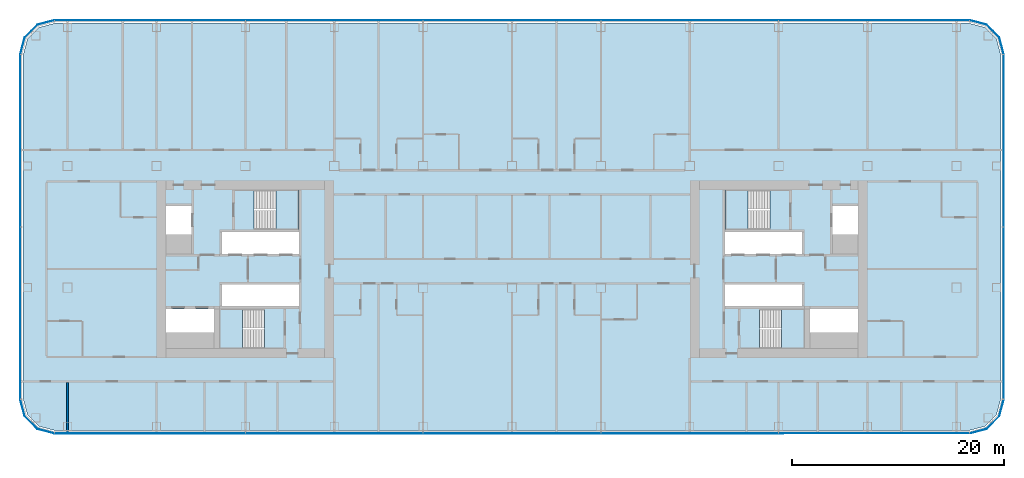
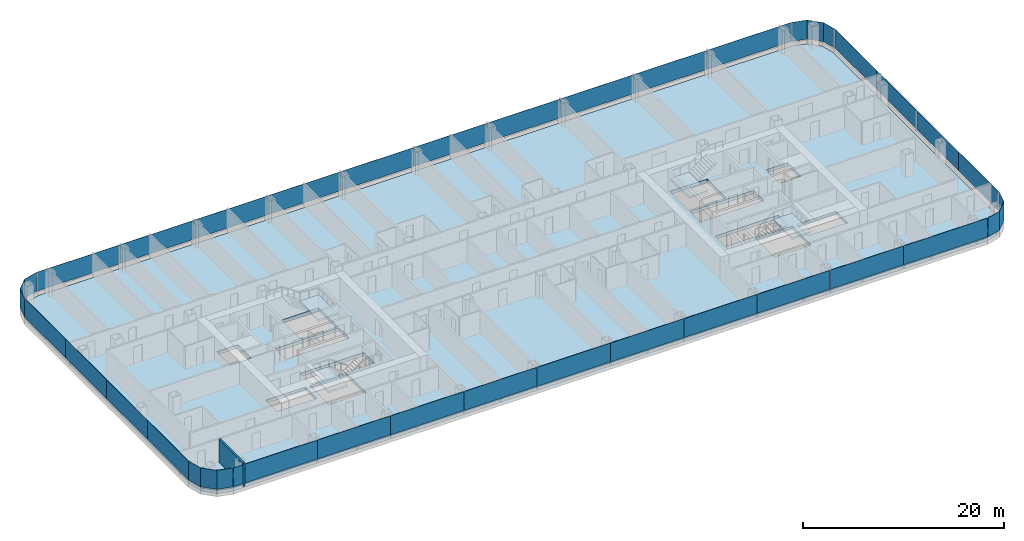
# One storey, part 14 of 29: 32 plates, 5 slabs, 1 wall, 12 elements without a shape of their own.
"""IFC4 building model written with IfcOpenShell, lengths in metres."""

from ifc_helpers import new_model, si_unit, direction, frame, frame_2d, origin, origin_2d, place, context, subcontext, project, spatial, polyline, rectangle, outline, extrude, material, layer, layer_set, type_object, element, aggregate, save


model = new_model("IFC4")

# Units and contexts
model_context = context("Model", 3, precision=1e-05, world=origin(), true_north=direction((0.0, 1.0)))
body_context = subcontext(model_context, "Body", "Model", "MODEL_VIEW")
ifc_project = project(units=[si_unit("LENGTHUNIT", "METRE"), si_unit("AREAUNIT", "SQUARE_METRE"), si_unit("VOLUMEUNIT", "CUBIC_METRE"), si_unit("PLANEANGLEUNIT", "RADIAN"), si_unit("MASSUNIT", "GRAM", prefix="KILO")], contexts=[model_context])

# Site, building, storey
site_placement = place(None, origin())
site = spatial("IfcSite", under=ifc_project, at=site_placement, CompositionType="ELEMENT")
building_placement = place(site_placement, origin())
building = spatial("IfcBuilding", under=site, at=building_placement, Name="Hakoniwa Tower and Hamabe Station Hall", CompositionType="ELEMENT")
storey_placement = place(building_placement, frame((0.0, 0.0, 101.0)))
storey = spatial("IfcBuildingStorey", under=building, at=storey_placement, Name="L28", CompositionType="ELEMENT", Elevation=101.0)

# Stair, slab
ifc_material_1 = material(Name="Concrete C40", Category="concrete")
stair_type = type_object("IfcStairType", Name="ESCAPE STAIR 1800", PredefinedType="HALF_TURN_STAIR", material=ifc_material_1)
stair_1_placement = place(storey_placement, origin())
stair_1 = element("IfcStair", 1, at=stair_1_placement, inside=storey, type_object=stair_type, Name="Escape stair ST-1 L28", PredefinedType="HALF_TURN_STAIR")
ifc_material_2 = material(Name="Concrete C40", Category="concrete")
ifc_layer_1 = layer(ifc_material_2, 0.25)
ifc_layer_set_1 = layer_set([ifc_layer_1], Name="CORE STAIR LANDING 250")
slab_type_1 = type_object("IfcSlabType", Name="CORE STAIR LANDING 250", PredefinedType="LANDING", material=ifc_layer_set_1)
slab_1_placement = place(storey_placement, frame((0.0, 0.0, 1.35009765625)))
slab_1 = element("IfcSlab", 2, at=slab_1_placement, type_object=slab_type_1, Name="ST-1 landing 1", PredefinedType="LANDING", context=body_context, shape_type="SweptSolid", body=[
    extrude(outline(polyline([(-22.320068359375, 3.75), (-20.14990234375, 3.75), (-20.14990234375, 7.5), (-22.320068359375, 7.5), (-22.320068359375, 3.75)])), origin(), (0.0, 0.0, 1.0), 0.25),
])
aggregate(stair_1, [slab_1])

stair_2_placement = place(storey_placement, origin())
stair_2 = element("IfcStair", 3, at=stair_2_placement, inside=storey, type_object=stair_type, Name="Escape stair ST-2 L28", PredefinedType="HALF_TURN_STAIR")
slab_2_placement = place(storey_placement, frame((0.0, 0.0, 1.35009765625)))
slab_2 = element("IfcSlab", 4, at=slab_2_placement, type_object=slab_type_1, Name="ST-2 landing 1", PredefinedType="LANDING", context=body_context, shape_type="SweptSolid", body=[
    extrude(outline(polyline([(-25.47998046875, -7.5), (-27.64990234375, -7.5), (-27.64990234375, -3.75), (-25.47998046875, -3.75), (-25.47998046875, -7.5)])), origin(), (0.0, 0.0, 1.0), 0.25),
])
aggregate(stair_2, [slab_2])

stair_3_placement = place(storey_placement, origin())
stair_3 = element("IfcStair", 5, at=stair_3_placement, inside=storey, type_object=stair_type, Name="Escape stair ST-3 L28", PredefinedType="HALF_TURN_STAIR")
slab_3_placement = place(storey_placement, frame((0.0, 0.0, 1.35009765625)))
slab_3 = element("IfcSlab", 6, at=slab_3_placement, type_object=slab_type_1, Name="ST-3 landing 1", PredefinedType="LANDING", context=body_context, shape_type="SweptSolid", body=[
    extrude(outline(polyline([(22.320068359375, 3.75), (20.14990234375, 3.75), (20.14990234375, 7.5), (22.320068359375, 7.5), (22.320068359375, 3.75)])), origin(), (0.0, 0.0, 1.0), 0.25),
])
aggregate(stair_3, [slab_3])

stair_4_placement = place(storey_placement, origin())
stair_4 = element("IfcStair", 7, at=stair_4_placement, inside=storey, type_object=stair_type, Name="Escape stair ST-4 L28", PredefinedType="HALF_TURN_STAIR")
slab_4_placement = place(storey_placement, frame((0.0, 0.0, 1.35009765625)))
slab_4 = element("IfcSlab", 8, at=slab_4_placement, type_object=slab_type_1, Name="ST-4 landing 1", PredefinedType="LANDING", context=body_context, shape_type="SweptSolid", body=[
    extrude(outline(polyline([(25.47998046875, -7.5), (27.64990234375, -7.5), (27.64990234375, -3.75), (25.47998046875, -3.75), (25.47998046875, -7.5)])), origin(), (0.0, 0.0, 1.0), 0.25),
])
aggregate(stair_4, [slab_4])

# Curtain wall, plates
ifc_material_3 = material(Name="Dark low-e laminated glass", Category="glass")
ifc_layer_2 = layer(ifc_material_3, 0.199951171875)
ifc_layer_set_2 = layer_set([ifc_layer_2], Name="CW-1 UNITISED GUEST")
curtain_wall_type = type_object("IfcCurtainWallType", Name="CW-1 UNITISED GUEST", PredefinedType="NOTDEFINED", material=ifc_layer_set_2)
curtain_wall_1_placement = place(storey_placement, origin())
curtain_wall_1 = element("IfcCurtainWall", 9, at=curtain_wall_1_placement, inside=storey, type_object=curtain_wall_type, Name="CW-1 curtain wall", PredefinedType="NOTDEFINED")
ifc_material_4 = material(Name="Dark low-e laminated glass", Category="glass")
ifc_layer_3 = layer(ifc_material_4, 0.028076171875)
ifc_layer_set_3 = layer_set([ifc_layer_3], Name="CW-1 GLASS UNIT")
plate_type = type_object("IfcPlateType", Name="CW-1 GLASS UNIT", PredefinedType="CURTAIN_PANEL", material=ifc_layer_set_3)
plate_1_placement = place(storey_placement, frame((46.486083984375, -8.217041015625, 0.35009765625), z_axis=(0.0, 0.0, 1.0), x_axis=(0.0, 1.0, 0.0)))
plate_1 = element("IfcPlate", 10, at=plate_1_placement, type_object=plate_type, Name="CW-1 glass unit", PredefinedType="CURTAIN_PANEL", context=body_context, shape_type="SweptSolid", body=[
    extrude(rectangle(XDim=8.124755859375, YDim=0.028076171875, at=origin_2d()), origin(), (0.0, 0.0, 1.0), 2.300048828125),
])
plate_2_placement = place(storey_placement, frame((46.486083984375, -0.072265625, 0.35009765625), z_axis=(0.0, 0.0, 1.0), x_axis=(0.0, 1.0, 0.0)))
plate_2 = element("IfcPlate", 11, at=plate_2_placement, type_object=plate_type, Name="CW-1 glass unit", PredefinedType="CURTAIN_PANEL", context=body_context, shape_type="SweptSolid", body=[
    extrude(rectangle(XDim=8.124755859375, YDim=0.028076171875, at=origin_2d()), origin(), (0.0, 0.0, 1.0), 2.300048828125),
])
plate_3_placement = place(storey_placement, frame((46.486083984375, 8.072265625, 0.35009765625), z_axis=(0.0, 0.0, 1.0), x_axis=(0.0, 1.0, 0.0)))
plate_3 = element("IfcPlate", 12, at=plate_3_placement, type_object=plate_type, Name="CW-1 glass unit", PredefinedType="CURTAIN_PANEL", context=body_context, shape_type="SweptSolid", body=[
    extrude(rectangle(XDim=8.124755859375, YDim=0.028076171875, at=origin_2d()), origin(), (0.0, 0.0, 1.0), 2.300048828125),
])
plate_4_placement = place(storey_placement, frame((46.486083984375, 16.217041015625, 0.35009765625), z_axis=(0.0, 0.0, 1.0), x_axis=(0.0, 1.0, 0.0)))
plate_4 = element("IfcPlate", 13, at=plate_4_placement, type_object=plate_type, Name="CW-1 glass unit", PredefinedType="CURTAIN_PANEL", context=body_context, shape_type="SweptSolid", body=[
    extrude(rectangle(XDim=8.124755859375, YDim=0.028076171875, at=origin_2d()), origin(), (0.0, 0.0, 1.0), 2.300048828125),
])
aggregate(curtain_wall_1, [plate_1, plate_2, plate_3, plate_4])

# Curtain wall, plate
curtain_wall_2_placement = place(storey_placement, origin())
curtain_wall_2 = element("IfcCurtainWall", 14, at=curtain_wall_2_placement, inside=storey, type_object=curtain_wall_type, Name="CW-1 curtain wall", PredefinedType="NOTDEFINED")
plate_5_placement = place(storey_placement, frame((0.0, 0.0, 0.35009765625)))
plate_5 = element("IfcPlate", 15, at=plate_5_placement, type_object=plate_type, Name="CW-1 curved corner unit", PredefinedType="CURTAIN_PANEL", context=body_context, shape_type="SweptSolid", body=[
    extrude(outline(polyline([(46.48974609375, 20.328125), (46.067138671875, 21.9052734375), (44.855224609375, 23.116943359375), (43.278076171875, 23.53955078125), (43.27099609375, 23.5126953125), (44.8408203125, 23.092041015625), (46.0419921875, 21.890869140625), (46.462646484375, 20.32080078125), (46.48974609375, 20.328125)])), origin(), (0.0, 0.0, 1.0), 2.2998046875),
])
aggregate(curtain_wall_2, [plate_5])

# Curtain wall, plates
curtain_wall_3_placement = place(storey_placement, origin())
curtain_wall_3 = element("IfcCurtainWall", 16, at=curtain_wall_3_placement, inside=storey, type_object=curtain_wall_type, Name="CW-1 curtain wall", PredefinedType="NOTDEFINED")
plate_6_placement = place(storey_placement, frame((38.419677734375, 23.535888671875, 0.35009765625), z_axis=(0.0, 0.0, 1.0), x_axis=(-1.0, 0.0, 0.0)))
plate_6 = element("IfcPlate", 17, at=plate_6_placement, type_object=plate_type, Name="CW-1 glass unit", PredefinedType="CURTAIN_PANEL", context=body_context, shape_type="SweptSolid", body=[
    extrude(rectangle(XDim=9.619384765625, YDim=0.028076171875, at=origin_2d()), origin(), (0.0, 0.0, 1.0), 2.300048828125),
])
plate_7_placement = place(storey_placement, frame((29.39990234375, 23.535888671875, 0.35009765625), z_axis=(0.0, 0.0, 1.0), x_axis=(-1.0, 0.0, 0.0)))
plate_7 = element("IfcPlate", 18, at=plate_7_placement, type_object=plate_type, Name="CW-1 glass unit", PredefinedType="CURTAIN_PANEL", context=body_context, shape_type="SweptSolid", body=[
    extrude(rectangle(XDim=8.3798828125, YDim=0.028076171875, at=origin_2d()), origin(), (0.0, 0.0, 1.0), 2.300048828125),
])
plate_8_placement = place(storey_placement, frame((21.0, 23.535888671875, 0.35009765625), z_axis=(0.0, 0.0, 1.0), x_axis=(-1.0, 0.0, 0.0)))
plate_8 = element("IfcPlate", 19, at=plate_8_placement, type_object=plate_type, Name="CW-1 glass unit", PredefinedType="CURTAIN_PANEL", context=body_context, shape_type="SweptSolid", body=[
    extrude(rectangle(XDim=8.3798828125, YDim=0.028076171875, at=origin_2d()), origin(), (0.0, 0.0, 1.0), 2.300048828125),
])
plate_9_placement = place(storey_placement, frame((12.60009765625, 23.535888671875, 0.35009765625), z_axis=(0.0, 0.0, 1.0), x_axis=(-1.0, 0.0, 0.0)))
plate_9 = element("IfcPlate", 20, at=plate_9_placement, type_object=plate_type, Name="CW-1 glass unit", PredefinedType="CURTAIN_PANEL", context=body_context, shape_type="SweptSolid", body=[
    extrude(rectangle(XDim=8.3798828125, YDim=0.028076171875, at=origin_2d()), origin(), (0.0, 0.0, 1.0), 2.300048828125),
])
plate_10_placement = place(storey_placement, frame((4.199951171875, 23.535888671875, 0.35009765625), z_axis=(0.0, 0.0, 1.0), x_axis=(-1.0, 0.0, 0.0)))
plate_10 = element("IfcPlate", 21, at=plate_10_placement, type_object=plate_type, Name="CW-1 glass unit", PredefinedType="CURTAIN_PANEL", context=body_context, shape_type="SweptSolid", body=[
    extrude(rectangle(XDim=8.3798828125, YDim=0.028076171875, at=origin_2d()), origin(), (0.0, 0.0, 1.0), 2.300048828125),
])
plate_11_placement = place(storey_placement, frame((-4.199951171875, 23.535888671875, 0.35009765625), z_axis=(0.0, 0.0, 1.0), x_axis=(-1.0, 0.0, 0.0)))
plate_11 = element("IfcPlate", 22, at=plate_11_placement, type_object=plate_type, Name="CW-1 glass unit", PredefinedType="CURTAIN_PANEL", context=body_context, shape_type="SweptSolid", body=[
    extrude(rectangle(XDim=8.3798828125, YDim=0.028076171875, at=origin_2d()), origin(), (0.0, 0.0, 1.0), 2.300048828125),
])
plate_12_placement = place(storey_placement, frame((-12.60009765625, 23.535888671875, 0.35009765625), z_axis=(0.0, 0.0, 1.0), x_axis=(-1.0, 0.0, 0.0)))
plate_12 = element("IfcPlate", 23, at=plate_12_placement, type_object=plate_type, Name="CW-1 glass unit", PredefinedType="CURTAIN_PANEL", context=body_context, shape_type="SweptSolid", body=[
    extrude(rectangle(XDim=8.3798828125, YDim=0.028076171875, at=origin_2d()), origin(), (0.0, 0.0, 1.0), 2.300048828125),
])
plate_13_placement = place(storey_placement, frame((-21.0, 23.535888671875, 0.35009765625), z_axis=(0.0, 0.0, 1.0), x_axis=(-1.0, 0.0, 0.0)))
plate_13 = element("IfcPlate", 24, at=plate_13_placement, type_object=plate_type, Name="CW-1 glass unit", PredefinedType="CURTAIN_PANEL", context=body_context, shape_type="SweptSolid", body=[
    extrude(rectangle(XDim=8.3798828125, YDim=0.028076171875, at=origin_2d()), origin(), (0.0, 0.0, 1.0), 2.300048828125),
])
plate_14_placement = place(storey_placement, frame((-29.39990234375, 23.535888671875, 0.35009765625), z_axis=(0.0, 0.0, 1.0), x_axis=(-1.0, 0.0, 0.0)))
plate_14 = element("IfcPlate", 25, at=plate_14_placement, type_object=plate_type, Name="CW-1 glass unit", PredefinedType="CURTAIN_PANEL", context=body_context, shape_type="SweptSolid", body=[
    extrude(rectangle(XDim=8.3798828125, YDim=0.028076171875, at=origin_2d()), origin(), (0.0, 0.0, 1.0), 2.300048828125),
])
plate_15_placement = place(storey_placement, frame((-38.419677734375, 23.535888671875, 0.35009765625), z_axis=(0.0, 0.0, 1.0), x_axis=(-1.0, 0.0, 0.0)))
plate_15 = element("IfcPlate", 26, at=plate_15_placement, type_object=plate_type, Name="CW-1 glass unit", PredefinedType="CURTAIN_PANEL", context=body_context, shape_type="SweptSolid", body=[
    extrude(rectangle(XDim=9.619384765625, YDim=0.028076171875, at=origin_2d()), origin(), (0.0, 0.0, 1.0), 2.300048828125),
])
aggregate(curtain_wall_3, [plate_6, plate_7, plate_8, plate_9, plate_10, plate_11, plate_12, plate_13, plate_14, plate_15])

# Curtain wall, plate
curtain_wall_4_placement = place(storey_placement, origin())
curtain_wall_4 = element("IfcCurtainWall", 27, at=curtain_wall_4_placement, inside=storey, type_object=curtain_wall_type, Name="CW-1 curtain wall", PredefinedType="NOTDEFINED")
plate_16_placement = place(storey_placement, frame((0.0, 0.0, 0.35009765625)))
plate_16 = element("IfcPlate", 28, at=plate_16_placement, type_object=plate_type, Name="CW-1 curved corner unit", PredefinedType="CURTAIN_PANEL", context=body_context, shape_type="SweptSolid", body=[
    extrude(outline(polyline([(-43.278076171875, 23.53955078125), (-44.855224609375, 23.116943359375), (-46.067138671875, 21.9052734375), (-46.48974609375, 20.328125), (-46.462646484375, 20.32080078125), (-46.0419921875, 21.890869140625), (-44.8408203125, 23.092041015625), (-43.27099609375, 23.5126953125), (-43.278076171875, 23.53955078125)])), origin(), (0.0, 0.0, 1.0), 2.2998046875),
])
aggregate(curtain_wall_4, [plate_16])

# Curtain wall, plates
curtain_wall_5_placement = place(storey_placement, origin())
curtain_wall_5 = element("IfcCurtainWall", 29, at=curtain_wall_5_placement, inside=storey, type_object=curtain_wall_type, Name="CW-1 curtain wall", PredefinedType="NOTDEFINED")
plate_17_placement = place(storey_placement, frame((-46.486083984375, 16.217041015625, 0.35009765625), z_axis=(0.0, 0.0, 1.0), x_axis=(0.0, -1.0, 0.0)))
plate_17 = element("IfcPlate", 30, at=plate_17_placement, type_object=plate_type, Name="CW-1 glass unit", PredefinedType="CURTAIN_PANEL", context=body_context, shape_type="SweptSolid", body=[
    extrude(rectangle(XDim=8.124755859375, YDim=0.028076171875, at=origin_2d()), origin(), (0.0, 0.0, 1.0), 2.300048828125),
])
plate_18_placement = place(storey_placement, frame((-46.486083984375, 8.072265625, 0.35009765625), z_axis=(0.0, 0.0, 1.0), x_axis=(0.0, -1.0, 0.0)))
plate_18 = element("IfcPlate", 31, at=plate_18_placement, type_object=plate_type, Name="CW-1 glass unit", PredefinedType="CURTAIN_PANEL", context=body_context, shape_type="SweptSolid", body=[
    extrude(rectangle(XDim=8.124755859375, YDim=0.028076171875, at=origin_2d()), origin(), (0.0, 0.0, 1.0), 2.300048828125),
])
plate_19_placement = place(storey_placement, frame((-46.486083984375, -0.072265625, 0.35009765625), z_axis=(0.0, 0.0, 1.0), x_axis=(0.0, -1.0, 0.0)))
plate_19 = element("IfcPlate", 32, at=plate_19_placement, type_object=plate_type, Name="CW-1 glass unit", PredefinedType="CURTAIN_PANEL", context=body_context, shape_type="SweptSolid", body=[
    extrude(rectangle(XDim=8.124755859375, YDim=0.028076171875, at=origin_2d()), origin(), (0.0, 0.0, 1.0), 2.300048828125),
])
plate_20_placement = place(storey_placement, frame((-46.486083984375, -8.217041015625, 0.35009765625), z_axis=(0.0, 0.0, 1.0), x_axis=(0.0, -1.0, 0.0)))
plate_20 = element("IfcPlate", 33, at=plate_20_placement, type_object=plate_type, Name="CW-1 glass unit", PredefinedType="CURTAIN_PANEL", context=body_context, shape_type="SweptSolid", body=[
    extrude(rectangle(XDim=8.124755859375, YDim=0.028076171875, at=origin_2d()), origin(), (0.0, 0.0, 1.0), 2.300048828125),
])
aggregate(curtain_wall_5, [plate_17, plate_18, plate_19, plate_20])

# Curtain wall, plate
curtain_wall_6_placement = place(storey_placement, origin())
curtain_wall_6 = element("IfcCurtainWall", 34, at=curtain_wall_6_placement, inside=storey, type_object=curtain_wall_type, Name="CW-1 curtain wall", PredefinedType="NOTDEFINED")
plate_21_placement = place(storey_placement, frame((0.0, 0.0, 0.35009765625)))
plate_21 = element("IfcPlate", 35, at=plate_21_placement, type_object=plate_type, Name="CW-1 curved corner unit", PredefinedType="CURTAIN_PANEL", context=body_context, shape_type="SweptSolid", body=[
    extrude(outline(polyline([(-46.48974609375, -12.328125), (-46.067138671875, -13.9052734375), (-44.855224609375, -15.116943359375), (-43.278076171875, -15.53955078125), (-43.27099609375, -15.5126953125), (-44.8408203125, -15.092041015625), (-46.0419921875, -13.890869140625), (-46.462646484375, -12.32080078125), (-46.48974609375, -12.328125)])), origin(), (0.0, 0.0, 1.0), 2.2998046875),
])
aggregate(curtain_wall_6, [plate_21])

# Curtain wall, plates
curtain_wall_7_placement = place(storey_placement, origin())
curtain_wall_7 = element("IfcCurtainWall", 36, at=curtain_wall_7_placement, inside=storey, type_object=curtain_wall_type, Name="CW-1 curtain wall", PredefinedType="NOTDEFINED")
plate_22_placement = place(storey_placement, frame((-38.419677734375, -15.535888671875, 0.35009765625), z_axis=(0.0, 0.0, 1.0), x_axis=(1.0, 0.0, 0.0)))
plate_22 = element("IfcPlate", 37, at=plate_22_placement, type_object=plate_type, Name="CW-1 glass unit", PredefinedType="CURTAIN_PANEL", context=body_context, shape_type="SweptSolid", body=[
    extrude(rectangle(XDim=9.619384765625, YDim=0.028076171875, at=origin_2d()), origin(), (0.0, 0.0, 1.0), 2.300048828125),
])
plate_23_placement = place(storey_placement, frame((-29.39990234375, -15.535888671875, 0.35009765625), z_axis=(0.0, 0.0, 1.0), x_axis=(1.0, 0.0, 0.0)))
plate_23 = element("IfcPlate", 38, at=plate_23_placement, type_object=plate_type, Name="CW-1 glass unit", PredefinedType="CURTAIN_PANEL", context=body_context, shape_type="SweptSolid", body=[
    extrude(rectangle(XDim=8.3798828125, YDim=0.028076171875, at=origin_2d()), origin(), (0.0, 0.0, 1.0), 2.300048828125),
])
plate_24_placement = place(storey_placement, frame((-21.0, -15.535888671875, 0.35009765625), z_axis=(0.0, 0.0, 1.0), x_axis=(1.0, 0.0, 0.0)))
plate_24 = element("IfcPlate", 39, at=plate_24_placement, type_object=plate_type, Name="CW-1 glass unit", PredefinedType="CURTAIN_PANEL", context=body_context, shape_type="SweptSolid", body=[
    extrude(rectangle(XDim=8.3798828125, YDim=0.028076171875, at=origin_2d()), origin(), (0.0, 0.0, 1.0), 2.300048828125),
])
plate_25_placement = place(storey_placement, frame((-12.60009765625, -15.535888671875, 0.35009765625), z_axis=(0.0, 0.0, 1.0), x_axis=(1.0, 0.0, 0.0)))
plate_25 = element("IfcPlate", 40, at=plate_25_placement, type_object=plate_type, Name="CW-1 glass unit", PredefinedType="CURTAIN_PANEL", context=body_context, shape_type="SweptSolid", body=[
    extrude(rectangle(XDim=8.3798828125, YDim=0.028076171875, at=origin_2d()), origin(), (0.0, 0.0, 1.0), 2.300048828125),
])
plate_26_placement = place(storey_placement, frame((-4.199951171875, -15.535888671875, 0.35009765625), z_axis=(0.0, 0.0, 1.0), x_axis=(1.0, 0.0, 0.0)))
plate_26 = element("IfcPlate", 41, at=plate_26_placement, type_object=plate_type, Name="CW-1 glass unit", PredefinedType="CURTAIN_PANEL", context=body_context, shape_type="SweptSolid", body=[
    extrude(rectangle(XDim=8.3798828125, YDim=0.028076171875, at=origin_2d()), origin(), (0.0, 0.0, 1.0), 2.300048828125),
])
plate_27_placement = place(storey_placement, frame((4.199951171875, -15.535888671875, 0.35009765625), z_axis=(0.0, 0.0, 1.0), x_axis=(1.0, 0.0, 0.0)))
plate_27 = element("IfcPlate", 42, at=plate_27_placement, type_object=plate_type, Name="CW-1 glass unit", PredefinedType="CURTAIN_PANEL", context=body_context, shape_type="SweptSolid", body=[
    extrude(rectangle(XDim=8.3798828125, YDim=0.028076171875, at=origin_2d()), origin(), (0.0, 0.0, 1.0), 2.300048828125),
])
plate_28_placement = place(storey_placement, frame((12.60009765625, -15.535888671875, 0.35009765625), z_axis=(0.0, 0.0, 1.0), x_axis=(1.0, 0.0, 0.0)))
plate_28 = element("IfcPlate", 43, at=plate_28_placement, type_object=plate_type, Name="CW-1 glass unit", PredefinedType="CURTAIN_PANEL", context=body_context, shape_type="SweptSolid", body=[
    extrude(rectangle(XDim=8.3798828125, YDim=0.028076171875, at=origin_2d()), origin(), (0.0, 0.0, 1.0), 2.300048828125),
])
plate_29_placement = place(storey_placement, frame((21.0, -15.535888671875, 0.35009765625), z_axis=(0.0, 0.0, 1.0), x_axis=(1.0, 0.0, 0.0)))
plate_29 = element("IfcPlate", 44, at=plate_29_placement, type_object=plate_type, Name="CW-1 glass unit", PredefinedType="CURTAIN_PANEL", context=body_context, shape_type="SweptSolid", body=[
    extrude(rectangle(XDim=8.3798828125, YDim=0.028076171875, at=origin_2d()), origin(), (0.0, 0.0, 1.0), 2.300048828125),
])
plate_30_placement = place(storey_placement, frame((29.39990234375, -15.535888671875, 0.35009765625), z_axis=(0.0, 0.0, 1.0), x_axis=(1.0, 0.0, 0.0)))
plate_30 = element("IfcPlate", 45, at=plate_30_placement, type_object=plate_type, Name="CW-1 glass unit", PredefinedType="CURTAIN_PANEL", context=body_context, shape_type="SweptSolid", body=[
    extrude(rectangle(XDim=8.3798828125, YDim=0.028076171875, at=origin_2d()), origin(), (0.0, 0.0, 1.0), 2.300048828125),
])
plate_31_placement = place(storey_placement, frame((38.419677734375, -15.535888671875, 0.35009765625), z_axis=(0.0, 0.0, 1.0), x_axis=(1.0, 0.0, 0.0)))
plate_31 = element("IfcPlate", 46, at=plate_31_placement, type_object=plate_type, Name="CW-1 glass unit", PredefinedType="CURTAIN_PANEL", context=body_context, shape_type="SweptSolid", body=[
    extrude(rectangle(XDim=9.619384765625, YDim=0.028076171875, at=origin_2d()), origin(), (0.0, 0.0, 1.0), 2.300048828125),
])
aggregate(curtain_wall_7, [plate_22, plate_23, plate_24, plate_25, plate_26, plate_27, plate_28, plate_29, plate_30, plate_31])

# Curtain wall, plate
curtain_wall_8_placement = place(storey_placement, origin())
curtain_wall_8 = element("IfcCurtainWall", 47, at=curtain_wall_8_placement, inside=storey, type_object=curtain_wall_type, Name="CW-1 curtain wall", PredefinedType="NOTDEFINED")
plate_32_placement = place(storey_placement, frame((0.0, 0.0, 0.35009765625)))
plate_32 = element("IfcPlate", 48, at=plate_32_placement, type_object=plate_type, Name="CW-1 curved corner unit", PredefinedType="CURTAIN_PANEL", context=body_context, shape_type="SweptSolid", body=[
    extrude(outline(polyline([(43.278076171875, -15.53955078125), (44.855224609375, -15.116943359375), (46.067138671875, -13.9052734375), (46.48974609375, -12.328125), (46.462646484375, -12.32080078125), (46.0419921875, -13.890869140625), (44.8408203125, -15.092041015625), (43.27099609375, -15.5126953125), (43.278076171875, -15.53955078125)])), origin(), (0.0, 0.0, 1.0), 2.2998046875),
])
aggregate(curtain_wall_8, [plate_32])

# Slab
ifc_material_5 = material(Name="Concrete C42", Category="concrete")
ifc_layer_4 = layer(ifc_material_5, 0.39990234375)
ifc_layer_set_4 = layer_set([ifc_layer_4], Name="PT FLAT PLATE 400")
slab_type_2 = type_object("IfcSlabType", Name="PT FLAT PLATE 400", PredefinedType="FLOOR", material=ifc_layer_set_4)
slab_5_placement = place(storey_placement, frame((0.0, 0.0, -0.39990234375)))
element("IfcSlab", 49, at=slab_5_placement, inside=storey, type_object=slab_type_2, Name="Floor slab L28", PredefinedType="FLOOR", context=body_context, shape_type="SweptSolid", body=[
    extrude(outline(polyline([(46.199951171875, -12.25), (46.199951171875, 20.25), (45.798095703125, 21.75), (44.699951171875, 22.84814453125), (43.199951171875, 23.25), (-43.199951171875, 23.25), (-44.699951171875, 22.84814453125), (-45.798095703125, 21.75), (-46.199951171875, 20.25), (-46.199951171875, -12.25), (-45.798095703125, -13.75), (-44.699951171875, -14.84814453125), (-43.199951171875, -15.25), (43.199951171875, -15.25), (44.699951171875, -14.84814453125), (45.798095703125, -13.75), (46.199951171875, -12.25)]), holes=[polyline([(-27.39990234375, 1.449951171875), (-27.39990234375, 3.5), (-20.14990234375, 3.5), (-20.14990234375, 1.449951171875), (-27.39990234375, 1.449951171875)]), polyline([(-27.39990234375, -3.5), (-27.39990234375, -1.449951171875), (-20.14990234375, -1.449951171875), (-20.14990234375, -3.5), (-27.39990234375, -3.5)]), polyline([(-32.699951171875, 3.300048828125), (-32.699951171875, 5.949951171875), (-30.300048828125, 5.949951171875), (-30.300048828125, 3.300048828125), (-32.699951171875, 3.300048828125)]), polyline([(-32.699951171875, -6.0), (-32.699951171875, -3.75), (-28.14990234375, -3.75), (-28.14990234375, -6.0), (-32.699951171875, -6.0)]), polyline([(-24.389892578125, 3.75), (-24.389892578125, 7.5), (-20.14990234375, 7.5), (-20.14990234375, 3.75), (-24.389892578125, 3.75)]), polyline([(-27.64990234375, -7.5), (-27.64990234375, -3.75), (-23.409912109375, -3.75), (-23.409912109375, -7.5), (-27.64990234375, -7.5)]), polyline([(20.14990234375, 1.449951171875), (20.14990234375, 3.5), (27.39990234375, 3.5), (27.39990234375, 1.449951171875), (20.14990234375, 1.449951171875)]), polyline([(20.14990234375, -3.5), (20.14990234375, -1.449951171875), (27.39990234375, -1.449951171875), (27.39990234375, -3.5), (20.14990234375, -3.5)]), polyline([(30.300048828125, 3.300048828125), (30.300048828125, 5.949951171875), (32.699951171875, 5.949951171875), (32.699951171875, 3.300048828125), (30.300048828125, 3.300048828125)]), polyline([(28.14990234375, -6.0), (28.14990234375, -3.75), (32.699951171875, -3.75), (32.699951171875, -6.0), (28.14990234375, -6.0)]), polyline([(20.14990234375, 3.75), (20.14990234375, 7.5), (24.389892578125, 7.5), (24.389892578125, 3.75), (20.14990234375, 3.75)]), polyline([(23.409912109375, -7.5), (23.409912109375, -3.75), (27.64990234375, -3.75), (27.64990234375, -7.5), (23.409912109375, -7.5)])]), origin(), (0.0, 0.0, 1.0), 0.39990234375),
])

# Wall
ifc_material_6 = material(Name="Fire-rated gypsum board partition", Category="gypsum")
ifc_layer_5 = layer(ifc_material_6, 0.199951171875)
ifc_layer_set_5 = layer_set([ifc_layer_5], Name="Party Wall 200")
wall_type = type_object("IfcWallType", Name="Party Wall 200", PredefinedType="PARTITIONING", material=ifc_layer_set_5)
wall_placement = place(storey_placement, frame((-42.0, -15.550048828125, 0.0), z_axis=(0.0, 0.0, 1.0), x_axis=(0.0, 1.0, 0.0)))
element("IfcWall", 50, at=wall_placement, inside=storey, type_object=wall_type, Name="GW-L28-031", PredefinedType="PARTITIONING", context=body_context, shape_type="SweptSolid", body=[
    extrude(rectangle(XDim=4.85009765625, YDim=0.199951171875, at=frame_2d((2.425048828125, 0.0))), origin(), (0.0, 0.0, 1.0), 2.800048828125),
])

save(model, "model.ifc")
